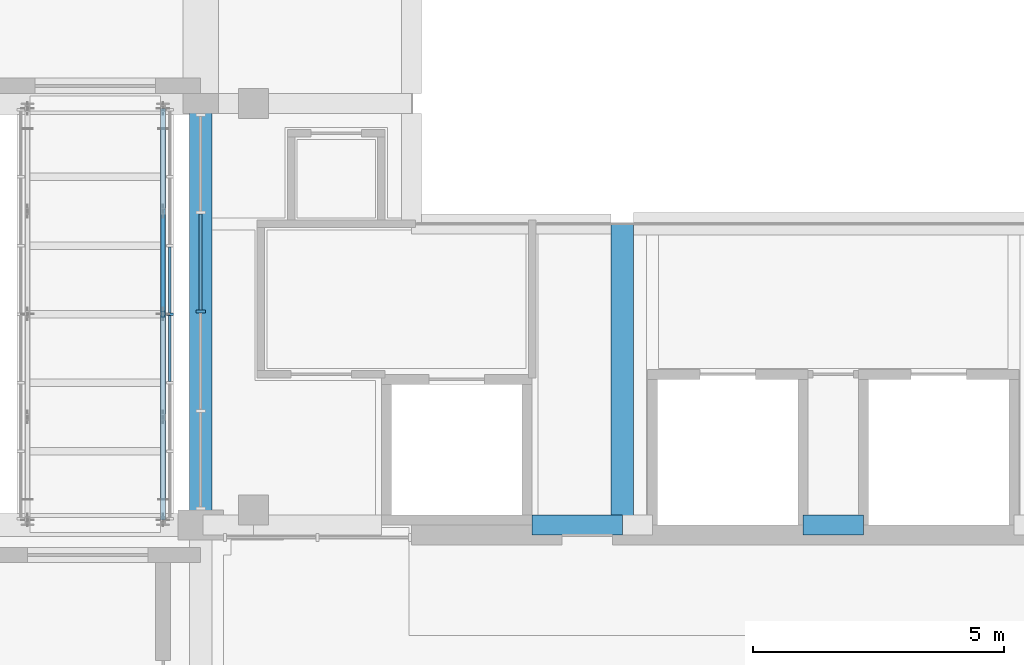
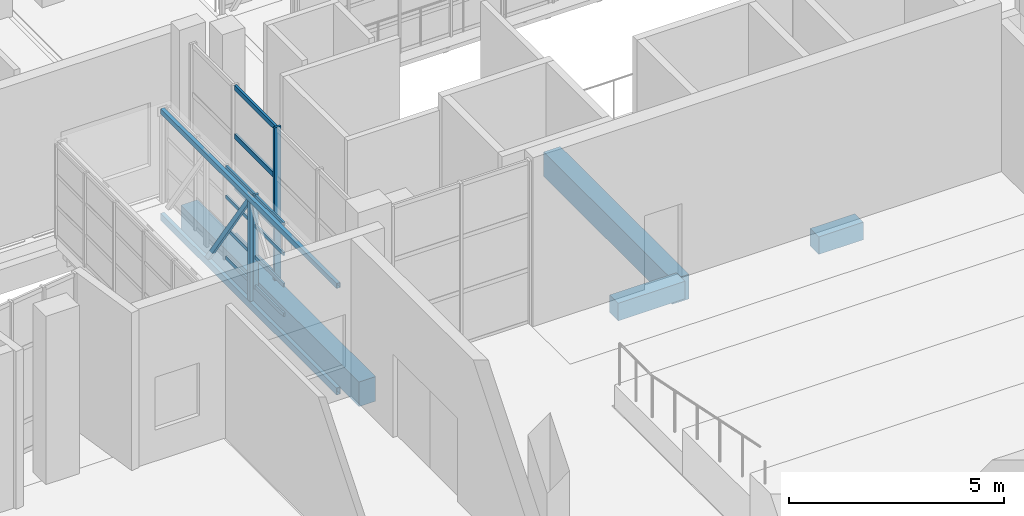
# One storey, part 10 of 67: 18 members, 4 beams, 2 elements without a shape of their own.
"""IFC4 building model written with IfcOpenShell, lengths in metres."""

from ifc_helpers import new_model, si_unit, direction, frame, origin, origin_2d, place, context, subcontext, project, spatial, rectangle, hollow_rectangle, extrude, material, layer, layer_set, material_profile, profile_set, type_object, element, aggregate, save


model = new_model("IFC4")

# Units and contexts
model_context = context("Model", 3, precision=1e-05, world=origin(), true_north=direction((0.0, 1.0)))
body_context = subcontext(model_context, "Body", "Model", "MODEL_VIEW")
ifc_project = project(units=[si_unit("LENGTHUNIT", "METRE"), si_unit("AREAUNIT", "SQUARE_METRE"), si_unit("VOLUMEUNIT", "CUBIC_METRE"), si_unit("PLANEANGLEUNIT", "RADIAN"), si_unit("MASSUNIT", "GRAM", prefix="KILO")], contexts=[model_context])

# Site, building, storey
site_placement = place(None, origin())
site = spatial("IfcSite", under=ifc_project, at=site_placement, CompositionType="ELEMENT")
building_placement = place(site_placement, origin())
building = spatial("IfcBuilding", under=site, at=building_placement, Name="Kiln Court Media Centre", CompositionType="ELEMENT")
storey_placement = place(building_placement, frame((0.0, 0.0, 19.800048828125)))
storey = spatial("IfcBuildingStorey", under=building, at=storey_placement, Name="L04", CompositionType="ELEMENT", Elevation=19.800048828125)

# Curtain wall, member
ifc_material_1 = material(Name="Aluminium 6063-T6", Category="aluminium")
ifc_layer_1 = layer(ifc_material_1, 0.1201171875)
ifc_layer_set_1 = layer_set([ifc_layer_1], Name="Aluminium unitised curtain wall, bridge")
curtain_wall_type_1 = type_object("IfcCurtainWallType", Name="Aluminium unitised curtain wall, bridge", PredefinedType="USERDEFINED", material=ifc_layer_set_1)
curtain_wall_1_placement = place(storey_placement, origin())
curtain_wall_1 = element("IfcCurtainWall", 1, at=curtain_wall_1_placement, inside=storey, type_object=curtain_wall_type_1, Name="BR-2 side glazing", ObjectType="UNITISED CURTAIN WALL", PredefinedType="USERDEFINED")
ifc_material_2 = material(Name="Aluminium 6063-T6", Category="aluminium")
ifc_material_profile_1 = material_profile(ifc_material_2, rectangle(XDim=0.050048828125, YDim=0.139892578125, at=origin_2d()), Name="Aluminium hall mullion 50x140")
ifc_profile_set_1 = profile_set([ifc_material_profile_1], Name="Aluminium 6063-T6")
member_type_1 = type_object("IfcMemberType", Name="Aluminium hall mullion 50x140", PredefinedType="MULLION", material=ifc_profile_set_1)
member_1_placement = place(storey_placement, frame((32.985107421875, 29.39990234375, 0.0), z_axis=(0.0, 0.0, 1.0), x_axis=(0.0, 1.0, 0.0)))
member_1 = element("IfcMember", 2, at=member_1_placement, type_object=member_type_1, Name="CW4-66 mullion 4", PredefinedType="MULLION", context=body_context, shape_type="SweptSolid", body=[
    extrude(rectangle(XDim=0.050048828125, YDim=0.139892578125, at=origin_2d()), origin(), (0.0, 0.0, 1.0), 2.675048828125),
])

ifc_material_3 = material(Name="Aluminium 6063-T6", Category="aluminium")
ifc_layer_2 = layer(ifc_material_3, 0.1201171875)
ifc_layer_set_2 = layer_set([ifc_layer_2], Name="Aluminium stick curtain wall, gallery")
curtain_wall_type_2 = type_object("IfcCurtainWallType", Name="Aluminium stick curtain wall, gallery", PredefinedType="USERDEFINED", material=ifc_layer_set_2)
curtain_wall_2_placement = place(storey_placement, origin())
curtain_wall_2 = element("IfcCurtainWall", 3, at=curtain_wall_2_placement, inside=storey, type_object=curtain_wall_type_2, Name="Foyer west glazing L04", ObjectType="STICK CURTAIN WALL", PredefinedType="USERDEFINED")
ifc_material_4 = material(Name="Aluminium 6063-T6", Category="aluminium")
ifc_material_profile_2 = material_profile(ifc_material_4, rectangle(XDim=0.06005859375, YDim=0.179931640625, at=origin_2d()), Name="Aluminium hall mullion 60x180")
ifc_profile_set_2 = profile_set([ifc_material_profile_2], Name="Aluminium 6063-T6")
member_type_2 = type_object("IfcMemberType", Name="Aluminium hall mullion 60x180", PredefinedType="MULLION", material=ifc_profile_set_2)
member_2_placement = place(storey_placement, frame((33.60009765625, 29.449951171875, 0.0), z_axis=(0.0, 0.0, 1.0), x_axis=(0.0, 1.0, 0.0)))
member_2 = element("IfcMember", 4, at=member_2_placement, type_object=member_type_2, Name="CW4-64 mullion 3", PredefinedType="MULLION", context=body_context, shape_type="SweptSolid", body=[
    extrude(rectangle(XDim=0.06005859375, YDim=0.179931640625, at=origin_2d()), origin(), (0.0, 0.0, 1.0), 4.349853515625),
])

# Member
ifc_material_5 = material(Name="Aluminium 6063-T6", Category="aluminium")
ifc_material_profile_3 = material_profile(ifc_material_5, rectangle(XDim=0.050048828125, YDim=0.10009765625, at=origin_2d()), Name="Aluminium hall transom 50x100")
ifc_profile_set_3 = profile_set([ifc_material_profile_3], Name="Aluminium 6063-T6")
member_type_3 = type_object("IfcMemberType", Name="Aluminium hall transom 50x100", PredefinedType="USERDEFINED", material=ifc_profile_set_3)
member_3_placement = place(storey_placement, frame((32.985107421875, 28.058349609375, 0.050048828125), z_axis=(0.0, 1.0, 0.0), x_axis=(-1.0, 0.0, 0.0)))
member_3 = element("IfcMember", 5, at=member_3_placement, type_object=member_type_3, Name="CW4-66 transom 3.1", ObjectType="TRANSOM", PredefinedType="USERDEFINED", context=body_context, shape_type="SweptSolid", body=[
    extrude(rectangle(XDim=0.050048828125, YDim=0.10009765625, at=origin_2d()), origin(), (0.0, 0.0, 1.0), 1.316650390625),
])

member_4_placement = place(storey_placement, frame((32.985107421875, 28.058349609375, 0.8916015625), z_axis=(0.0, 1.0, 0.0), x_axis=(-1.0, 0.0, 0.0)))
member_4 = element("IfcMember", 6, at=member_4_placement, type_object=member_type_3, Name="CW4-66 transom 3.2", ObjectType="TRANSOM", PredefinedType="USERDEFINED", context=body_context, shape_type="SweptSolid", body=[
    extrude(rectangle(XDim=0.050048828125, YDim=0.10009765625, at=origin_2d()), origin(), (0.0, 0.0, 1.0), 1.316650390625),
])

member_5_placement = place(storey_placement, frame((32.985107421875, 28.058349609375, 1.783203125), z_axis=(0.0, 1.0, 0.0), x_axis=(-1.0, 0.0, 0.0)))
member_5 = element("IfcMember", 7, at=member_5_placement, type_object=member_type_3, Name="CW4-66 transom 3.3", ObjectType="TRANSOM", PredefinedType="USERDEFINED", context=body_context, shape_type="SweptSolid", body=[
    extrude(rectangle(XDim=0.050048828125, YDim=0.10009765625, at=origin_2d()), origin(), (0.0, 0.0, 1.0), 1.316650390625),
])

member_6_placement = place(storey_placement, frame((32.985107421875, 28.058349609375, 2.625), z_axis=(0.0, 1.0, 0.0), x_axis=(-1.0, 0.0, 0.0)))
member_6 = element("IfcMember", 8, at=member_6_placement, type_object=member_type_3, Name="CW4-66 transom 3.4", ObjectType="TRANSOM", PredefinedType="USERDEFINED", context=body_context, shape_type="SweptSolid", body=[
    extrude(rectangle(XDim=0.050048828125, YDim=0.10009765625, at=origin_2d()), origin(), (0.0, 0.0, 1.0), 1.316650390625),
])

member_7_placement = place(storey_placement, frame((32.985107421875, 29.425048828125, 0.050048828125), z_axis=(0.0, 1.0, 0.0), x_axis=(-1.0, 0.0, 0.0)))
member_7 = element("IfcMember", 9, at=member_7_placement, type_object=member_type_3, Name="CW4-66 transom 4.1", ObjectType="TRANSOM", PredefinedType="USERDEFINED", context=body_context, shape_type="SweptSolid", body=[
    extrude(rectangle(XDim=0.050048828125, YDim=0.10009765625, at=origin_2d()), origin(), (0.0, 0.0, 1.0), 1.316650390625),
])

member_8_placement = place(storey_placement, frame((32.985107421875, 29.425048828125, 0.8916015625), z_axis=(0.0, 1.0, 0.0), x_axis=(-1.0, 0.0, 0.0)))
member_8 = element("IfcMember", 10, at=member_8_placement, type_object=member_type_3, Name="CW4-66 transom 4.2", ObjectType="TRANSOM", PredefinedType="USERDEFINED", context=body_context, shape_type="SweptSolid", body=[
    extrude(rectangle(XDim=0.050048828125, YDim=0.10009765625, at=origin_2d()), origin(), (0.0, 0.0, 1.0), 1.316650390625),
])

member_9_placement = place(storey_placement, frame((32.985107421875, 29.425048828125, 1.783203125), z_axis=(0.0, 1.0, 0.0), x_axis=(-1.0, 0.0, 0.0)))
member_9 = element("IfcMember", 11, at=member_9_placement, type_object=member_type_3, Name="CW4-66 transom 4.3", ObjectType="TRANSOM", PredefinedType="USERDEFINED", context=body_context, shape_type="SweptSolid", body=[
    extrude(rectangle(XDim=0.050048828125, YDim=0.10009765625, at=origin_2d()), origin(), (0.0, 0.0, 1.0), 1.316650390625),
])

member_10_placement = place(storey_placement, frame((32.985107421875, 29.425048828125, 2.625), z_axis=(0.0, 1.0, 0.0), x_axis=(-1.0, 0.0, 0.0)))
member_10 = element("IfcMember", 12, at=member_10_placement, type_object=member_type_3, Name="CW4-66 transom 4.4", ObjectType="TRANSOM", PredefinedType="USERDEFINED", context=body_context, shape_type="SweptSolid", body=[
    extrude(rectangle(XDim=0.050048828125, YDim=0.10009765625, at=origin_2d()), origin(), (0.0, 0.0, 1.0), 1.316650390625),
])

aggregate(curtain_wall_1, [member_1, member_3, member_4, member_5, member_6, member_7, member_8, member_9, member_10])

ifc_material_6 = material(Name="Aluminium 6063-T6", Category="aluminium")
ifc_material_profile_4 = material_profile(ifc_material_6, rectangle(XDim=0.06005859375, YDim=0.139892578125, at=origin_2d()), Name="Aluminium hall transom 60x140")
ifc_profile_set_4 = profile_set([ifc_material_profile_4], Name="Aluminium 6063-T6")
member_type_4 = type_object("IfcMemberType", Name="Aluminium hall transom 60x140", PredefinedType="USERDEFINED", material=ifc_profile_set_4)
member_11_placement = place(storey_placement, frame((33.60009765625, 29.47998046875, 0.070068359375), z_axis=(0.0, 1.0, 0.0), x_axis=(-1.0, 0.0, 0.0)))
member_11 = element("IfcMember", 13, at=member_11_placement, type_object=member_type_4, Name="CW4-64 transom 3.1", ObjectType="TRANSOM", PredefinedType="USERDEFINED", context=body_context, shape_type="SweptSolid", body=[
    extrude(rectangle(XDim=0.06005859375, YDim=0.139892578125, at=origin_2d()), origin(), (0.0, 0.0, 1.0), 1.9150390625),
])

member_12_placement = place(storey_placement, frame((33.60009765625, 29.47998046875, 1.449951171875), z_axis=(0.0, 1.0, 0.0), x_axis=(-1.0, 0.0, 0.0)))
member_12 = element("IfcMember", 14, at=member_12_placement, type_object=member_type_4, Name="CW4-64 transom 3.2", ObjectType="TRANSOM", PredefinedType="USERDEFINED", context=body_context, shape_type="SweptSolid", body=[
    extrude(rectangle(XDim=0.06005859375, YDim=0.139892578125, at=origin_2d()), origin(), (0.0, 0.0, 1.0), 1.9150390625),
])

member_13_placement = place(storey_placement, frame((33.60009765625, 29.47998046875, 2.89990234375), z_axis=(0.0, 1.0, 0.0), x_axis=(-1.0, 0.0, 0.0)))
member_13 = element("IfcMember", 15, at=member_13_placement, type_object=member_type_4, Name="CW4-64 transom 3.3", ObjectType="TRANSOM", PredefinedType="USERDEFINED", context=body_context, shape_type="SweptSolid", body=[
    extrude(rectangle(XDim=0.06005859375, YDim=0.139892578125, at=origin_2d()), origin(), (0.0, 0.0, 1.0), 1.9150390625),
])

member_14_placement = place(storey_placement, frame((33.60009765625, 29.47998046875, 4.280029296875), z_axis=(0.0, 1.0, 0.0), x_axis=(-1.0, 0.0, 0.0)))
member_14 = element("IfcMember", 16, at=member_14_placement, type_object=member_type_4, Name="CW4-64 transom 3.4", ObjectType="TRANSOM", PredefinedType="USERDEFINED", context=body_context, shape_type="SweptSolid", body=[
    extrude(rectangle(XDim=0.06005859375, YDim=0.139892578125, at=origin_2d()), origin(), (0.0, 0.0, 1.0), 1.9150390625),
])

aggregate(curtain_wall_2, [member_2, member_11, member_12, member_13, member_14])

# Beams
ifc_material_7 = material(Name="Concrete C30/37", Category="concrete")
ifc_material_profile_5 = material_profile(ifc_material_7, rectangle(XDim=0.39990234375, YDim=0.5, at=origin_2d()), Name="RC 400x500")
ifc_profile_set_5 = profile_set([ifc_material_profile_5], Name="Concrete C30/37")
beam_type_1 = type_object("IfcBeamType", Name="Concrete C30/37 beam 400x500", PredefinedType="BEAM", material=ifc_profile_set_5)
beam_1_placement = place(storey_placement, frame((40.199951171875, 25.199951171875, -0.550048828125), z_axis=(1.0, 0.0, 0.0), x_axis=(0.0, 1.0, 0.0)))
element("IfcBeam", 17, at=beam_1_placement, inside=storey, type_object=beam_type_1, Name="L04-B-1090", PredefinedType="BEAM", context=body_context, shape_type="SweptSolid", body=[
    extrude(rectangle(XDim=0.39990234375, YDim=0.5, at=origin_2d()), origin(), (0.0, 0.0, 1.0), 1.800048828125),
])
beam_2_placement = place(storey_placement, frame((45.59912109375, 25.199951171875, -0.550048828125), z_axis=(1.0, 0.0, 0.0), x_axis=(0.0, 1.0, 0.0)))
element("IfcBeam", 18, at=beam_2_placement, inside=storey, type_object=beam_type_1, Name="L04-B-1092", PredefinedType="BEAM", context=body_context, shape_type="SweptSolid", body=[
    extrude(rectangle(XDim=0.39990234375, YDim=0.5, at=origin_2d()), origin(), (0.0, 0.0, 1.0), 1.201904296875),
])
ifc_material_8 = material(Name="Concrete C30/37", Category="concrete")
ifc_material_profile_6 = material_profile(ifc_material_8, rectangle(XDim=0.449951171875, YDim=0.699951171875, at=origin_2d()), Name="RC 450x700")
ifc_profile_set_6 = profile_set([ifc_material_profile_6], Name="Concrete C30/37")
beam_type_2 = type_object("IfcBeamType", Name="Concrete C30/37 beam 450x700", PredefinedType="BEAM", material=ifc_profile_set_6)
beam_3_placement = place(storey_placement, frame((33.60009765625, 25.25, -0.650146484375), z_axis=(0.0, 1.0, 0.0), x_axis=(-1.0, 0.0, 0.0)))
element("IfcBeam", 19, at=beam_3_placement, inside=storey, type_object=beam_type_2, Name="L04-B-1083", PredefinedType="BEAM", context=body_context, shape_type="SweptSolid", body=[
    extrude(rectangle(XDim=0.449951171875, YDim=0.699951171875, at=origin_2d()), origin(), (0.0, 0.0, 1.0), 8.300048828125),
])
beam_4_placement = place(storey_placement, frame((42.0, 25.199951171875, -0.650146484375), z_axis=(0.0, 1.0, 0.0), x_axis=(-1.0, 0.0, 0.0)))
element("IfcBeam", 20, at=beam_4_placement, inside=storey, type_object=beam_type_2, Name="L04-B-1084", PredefinedType="BEAM", context=body_context, shape_type="SweptSolid", body=[
    extrude(rectangle(XDim=0.449951171875, YDim=0.699951171875, at=origin_2d()), origin(), (0.0, 0.0, 1.0), 6.0009765625),
])

# Members
ifc_material_9 = material(Name="Steel ASTM A500 Gr C", Category="steel")
ifc_material_profile_7 = material_profile(ifc_material_9, hollow_rectangle(XDim=0.080078125, YDim=0.1201171875, WallThickness=0.00634765625, at=origin_2d()), Name="RHS 120x80x6.3")
ifc_profile_set_7 = profile_set([ifc_material_profile_7], Name="Steel ASTM A500 Gr C")
member_type_5 = type_object("IfcMemberType", Name="Steel ASTM A500 Gr C RHS 120x80x6.3 bridge truss web", PredefinedType="BRACE", material=ifc_profile_set_7)
member_15_placement = place(storey_placement, frame((32.85009765625, 29.39990234375, -0.400146484375), z_axis=(0.0, 0.0, 1.0), x_axis=(1.0, 0.0, 0.0)))
element("IfcMember", 21, at=member_15_placement, inside=storey, type_object=member_type_5, Name="bridge BR-2 side truss 2 post 3 bridge truss web", PredefinedType="BRACE", context=body_context, shape_type="SweptSolid", body=[
    extrude(hollow_rectangle(XDim=0.080078125, YDim=0.1201171875, WallThickness=0.00634765625, at=origin_2d()), origin(), (0.0, 0.0, 1.0), 3.0),
])
member_16_placement = place(storey_placement, frame((32.85009765625, 29.39990234375, 2.599853515625), z_axis=(0.0, 0.564199665614, -0.825638381691), x_axis=(-1.0, 0.0, 0.0)))
element("IfcMember", 22, at=member_16_placement, inside=storey, type_object=member_type_5, Name="bridge BR-2 side truss 2 diagonal 3 bridge truss web", PredefinedType="BRACE", context=body_context, shape_type="SweptSolid", body=[
    extrude(hollow_rectangle(XDim=0.080078125, YDim=0.1201171875, WallThickness=0.00634765625, at=origin_2d()), origin(), (0.0, 0.0, 1.0), 3.633544921875),
])
ifc_material_10 = material(Name="Steel ASTM A500 Gr C", Category="steel")
ifc_material_profile_8 = material_profile(ifc_material_10, hollow_rectangle(XDim=0.10009765625, YDim=0.14990234375, WallThickness=0.008056640625, at=origin_2d()), Name="RHS 150x100x8.0")
ifc_profile_set_8 = profile_set([ifc_material_profile_8], Name="Steel ASTM A500 Gr C")
member_type_6 = type_object("IfcMemberType", Name="Steel ASTM A500 Gr C RHS 150x100x8.0 bridge truss chord", PredefinedType="CHORD", material=ifc_profile_set_8)
member_17_placement = place(storey_placement, frame((32.85009765625, 25.300048828125, 2.599853515625), z_axis=(0.0, 1.0, 0.0), x_axis=(-1.0, 0.0, 0.0)))
element("IfcMember", 23, at=member_17_placement, inside=storey, type_object=member_type_6, Name="bridge BR-2 side truss 2 top chord bridge truss chord", PredefinedType="CHORD", context=body_context, shape_type="SweptSolid", body=[
    extrude(hollow_rectangle(XDim=0.10009765625, YDim=0.14990234375, WallThickness=0.008056640625, at=origin_2d()), origin(), (0.0, 0.0, 1.0), 8.199951171875),
])
ifc_material_11 = material(Name="Steel ASTM A500 Gr C", Category="steel")
ifc_material_profile_9 = material_profile(ifc_material_11, hollow_rectangle(XDim=0.10009765625, YDim=0.199951171875, WallThickness=0.008056640625, at=origin_2d()), Name="RHS 200x100x8.0")
ifc_profile_set_9 = profile_set([ifc_material_profile_9], Name="Steel ASTM A500 Gr C")
member_type_7 = type_object("IfcMemberType", Name="Steel ASTM A500 Gr C RHS 200x100x8.0 bridge truss chord", PredefinedType="CHORD", material=ifc_profile_set_9)
member_18_placement = place(storey_placement, frame((32.85009765625, 25.300048828125, -0.400146484375), z_axis=(0.0, 1.0, 0.0), x_axis=(-1.0, 0.0, 0.0)))
element("IfcMember", 24, at=member_18_placement, inside=storey, type_object=member_type_7, Name="bridge BR-2 side truss 2 bottom chord bridge truss chord", PredefinedType="CHORD", context=body_context, shape_type="SweptSolid", body=[
    extrude(hollow_rectangle(XDim=0.10009765625, YDim=0.199951171875, WallThickness=0.008056640625, at=origin_2d()), origin(), (0.0, 0.0, 1.0), 8.199951171875),
])

save(model, "model.ifc")
